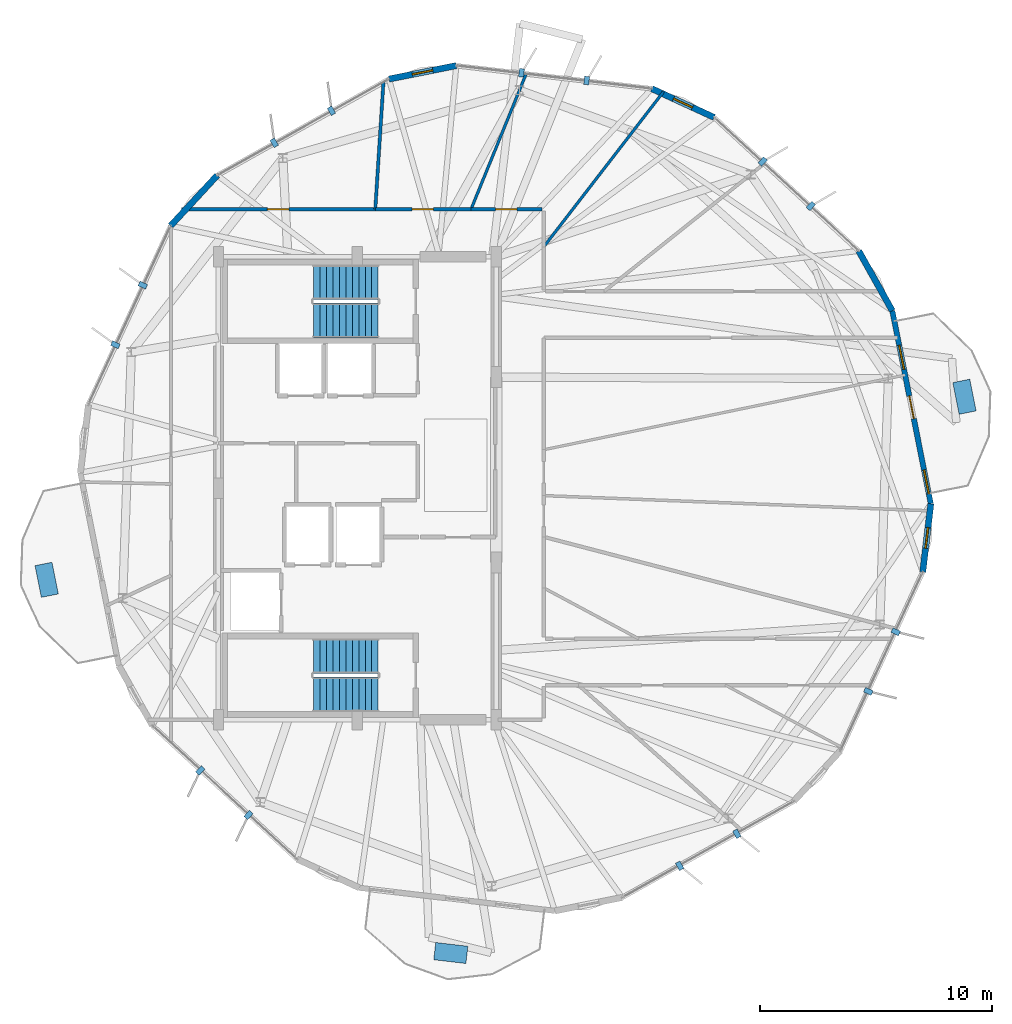
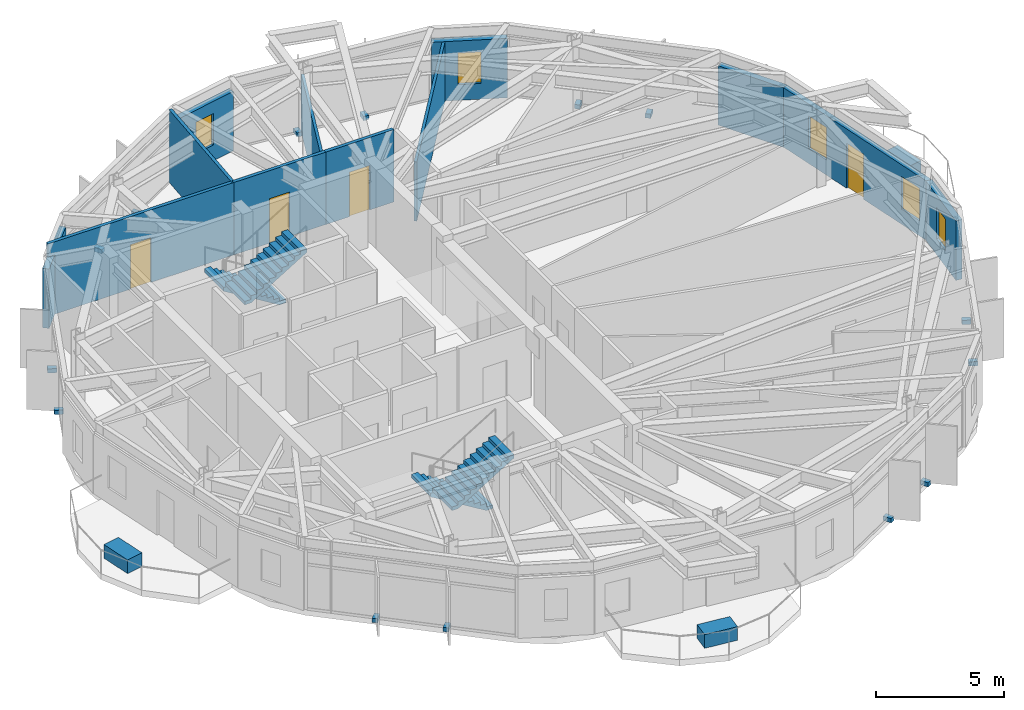
# One storey, part 22 of 25: 17 discrete accessories, 12 walls, 5 windows, 4 doors, 4 stair flights, 9 openings, 2 elements without a shape of their own.
"""IFC4 building model written with IfcOpenShell, lengths in metres."""

from ifc_helpers import new_model, si_unit, direction, frame, frame_2d, origin, origin_2d, place, context, subcontext, project, spatial, polyline, rectangle, outline, extrude, material, layer, layer_set, type_object, element, fill, aggregate, save


model = new_model("IFC4")

# Units and contexts
model_context = context("Model", 3, precision=1e-05, world=origin(), true_north=direction((0.0, 1.0)))
body_context = subcontext(model_context, "Body", "Model", "MODEL_VIEW")
ifc_project = project(units=[si_unit("LENGTHUNIT", "METRE"), si_unit("AREAUNIT", "SQUARE_METRE"), si_unit("VOLUMEUNIT", "CUBIC_METRE"), si_unit("PLANEANGLEUNIT", "RADIAN"), si_unit("MASSUNIT", "GRAM", prefix="KILO")], contexts=[model_context])

# Site, building, storey
site_placement = place(None, origin())
site = spatial("IfcSite", under=ifc_project, at=site_placement, CompositionType="ELEMENT")
building_placement = place(site_placement, origin())
building = spatial("IfcBuilding", under=site, at=building_placement, Name="Soratama Intermodal Tower", CompositionType="ELEMENT")
storey_placement = place(building_placement, frame((0.0, 0.0, 272.5)))
storey = spatial("IfcBuildingStorey", under=building, at=storey_placement, Name="L69", CompositionType="ELEMENT", Elevation=272.5)

# Wall, openings, door, windows
ifc_material_1 = material(Name="Concrete f'c 42 MPa", Category="concrete")
ifc_layer_1 = layer(ifc_material_1, 0.22998046875)
ifc_layer_set_1 = layer_set([ifc_layer_1], Name="Concrete f'c 42 MPa")
wall_type_1 = type_object("IfcWallType", Name="EW-BAL-230", PredefinedType="SOLIDWALL", material=ifc_layer_set_1)
wall_1_placement = place(storey_placement, frame((63.36572265625, 24.32958984375, 0.0), z_axis=(0.0, 0.0, 1.0), x_axis=(-0.195602411619, 0.980683280457, 0.0)))
wall_1 = element("IfcWall", 1, at=wall_1_placement, inside=storey, type_object=wall_type_1, Name="L69 Terrace Wall F09", PredefinedType="SOLIDWALL", context=body_context, shape_type="SweptSolid", body=[
    extrude(rectangle(XDim=8.5, YDim=0.22998046875, at=frame_2d((4.25, 0.0))), origin(), (0.0, 0.0, 1.0), 2.8291015625),
])
opening_1_placement = place(wall_1_placement, frame((3.75, 0.0, 0.0)))
opening_1 = element("IfcOpeningElement", 2, at=opening_1_placement, cuts=wall_1, Name="Opening ED-2", PredefinedType="OPENING", context=body_context, shape_type="SweptSolid", body=[
    extrude(rectangle(XDim=1.0, YDim=2.14990234375, at=frame_2d((0.5, 1.074951171875))), frame((0.0, 0.125, 0.0), z_axis=(0.0, -1.0, 0.0), x_axis=(1.0, 0.0, 0.0)), (0.0, 0.0, 1.0), 0.25),
])
opening_2_placement = place(wall_1_placement, frame((0.43994140625, 0.0, 0.719970703125)))
opening_2 = element("IfcOpeningElement", 3, at=opening_2_placement, cuts=wall_1, Name="Opening WN-5", PredefinedType="OPENING", context=body_context, shape_type="SweptSolid", body=[
    extrude(rectangle(XDim=1.050048828125, YDim=1.550048828125, at=frame_2d((0.52490234375, 0.77490234375))), frame((0.0, 0.125, 0.0), z_axis=(0.0, -1.0, 0.0), x_axis=(1.0, 0.0, 0.0)), (0.0, 0.0, 1.0), 0.25),
])
opening_3_placement = place(wall_1_placement, frame((5.929931640625, 0.0, 0.719970703125)))
opening_3 = element("IfcOpeningElement", 4, at=opening_3_placement, cuts=wall_1, Name="Opening WN-5", PredefinedType="OPENING", context=body_context, shape_type="SweptSolid", body=[
    extrude(rectangle(XDim=1.050048828125, YDim=1.550048828125, at=frame_2d((0.52490234375, 0.77490234375))), frame((0.0, 0.125, 0.0), z_axis=(0.0, -1.0, 0.0), x_axis=(1.0, 0.0, 0.0)), (0.0, 0.0, 1.0), 0.25),
])
ifc_material_2 = material(Name="Double-glazed aluminium door", Category="aluminium")
door_type_1 = type_object("IfcDoorType", Name="DR-BAL-1000", OperationType="NOTDEFINED", PredefinedType="DOOR", material=ifc_material_2)
door_1_placement = place(opening_1_placement, origin())
door_1 = element("IfcDoor", 5, at=door_1_placement, inside=storey, type_object=door_type_1, Name="L69 Balcony Door F09", OperationType="SINGLE_SWING_LEFT", OverallHeight=2.14990234375, OverallWidth=1.0, PredefinedType="DOOR", context=body_context, shape_type="SweptSolid", body=[
    extrude(rectangle(XDim=1.0, YDim=2.14990234375, at=frame_2d((0.5, 1.074951171875))), frame((0.0, 0.02490234375, 0.0), z_axis=(0.0, -1.0, 0.0), x_axis=(1.0, 0.0, 0.0)), (0.0, 0.0, 1.0), 0.050048828125),
])
fill(opening_1, door_1)
ifc_material_3 = material(Name="Double-glazed aluminium window", Category="aluminium")
window_type_1 = type_object("IfcWindowType", Name="WN-FAC-1050", PartitioningType="SINGLE_PANEL", PredefinedType="WINDOW", material=ifc_material_3)
window_1_placement = place(opening_2_placement, origin())
window_1 = element("IfcWindow", 6, at=window_1_placement, inside=storey, type_object=window_type_1, Name="L69 Window A F09", OverallHeight=1.550048828125, OverallWidth=1.050048828125, PartitioningType="SINGLE_PANEL", PredefinedType="WINDOW", context=body_context, shape_type="SweptSolid", body=[
    extrude(rectangle(XDim=1.050048828125, YDim=1.550048828125, at=frame_2d((0.52490234375, 0.77490234375))), frame((0.0, 0.030029296875, 0.0), z_axis=(0.0, -1.0, 0.0), x_axis=(1.0, 0.0, 0.0)), (0.0, 0.0, 1.0), 0.06005859375),
])
fill(opening_2, window_1)
window_2_placement = place(opening_3_placement, origin())
window_2 = element("IfcWindow", 7, at=window_2_placement, inside=storey, type_object=window_type_1, Name="L69 Window B F09", OverallHeight=1.550048828125, OverallWidth=1.050048828125, PartitioningType="SINGLE_PANEL", PredefinedType="WINDOW", context=body_context, shape_type="SweptSolid", body=[
    extrude(rectangle(XDim=1.050048828125, YDim=1.550048828125, at=frame_2d((0.52490234375, 0.77490234375))), frame((0.0, 0.030029296875, 0.0), z_axis=(0.0, -1.0, 0.0), x_axis=(1.0, 0.0, 0.0)), (0.0, 0.0, 1.0), 0.06005859375),
])
fill(opening_3, window_2)

# Wall, opening, window
ifc_material_4 = material(Name="Concrete f'c 42 MPa", Category="concrete")
ifc_layer_2 = layer(ifc_material_4, 0.27001953125)
ifc_layer_set_2 = layer_set([ifc_layer_2], Name="Concrete f'c 42 MPa")
wall_type_2 = type_object("IfcWallType", Name="EW-CRN-270", PredefinedType="SOLIDWALL", material=ifc_layer_set_2)
wall_2_placement = place(storey_placement, frame((42.87158203125, 43.25439453125, 0.0), z_axis=(0.0, 0.0, 1.0), x_axis=(-0.980678679059, -0.195625480037, 0.0)))
wall_2 = element("IfcWall", 8, at=wall_2_placement, inside=storey, type_object=wall_type_2, Name="L69 Corner Closure Wall 01", PredefinedType="SOLIDWALL", context=body_context, shape_type="SweptSolid", body=[
    extrude(rectangle(XDim=2.966552734375, YDim=0.27001953125, at=frame_2d((1.4833984375, 0.0))), origin(), (0.0, 0.0, 1.0), 2.8291015625),
])
opening_4_placement = place(wall_2_placement, frame((1.033203125, 0.0, 0.75)))
opening_4 = element("IfcOpeningElement", 9, at=opening_4_placement, cuts=wall_2, Name="Opening WN-6", PredefinedType="OPENING", context=body_context, shape_type="SweptSolid", body=[
    extrude(rectangle(XDim=0.89990234375, YDim=1.5, at=frame_2d((0.449951171875, 0.75))), frame((0.0, 0.14501953125, 0.0), z_axis=(0.0, -1.0, 0.0), x_axis=(1.0, 0.0, 0.0)), (0.0, 0.0, 1.0), 0.2900390625),
])
ifc_material_5 = material(Name="Double-glazed aluminium window", Category="aluminium")
window_type_2 = type_object("IfcWindowType", Name="WN-FAC-900", PartitioningType="SINGLE_PANEL", PredefinedType="WINDOW", material=ifc_material_5)
window_3_placement = place(opening_4_placement, origin())
window_3 = element("IfcWindow", 10, at=window_3_placement, inside=storey, type_object=window_type_2, Name="L69 Corner Window 01", OverallHeight=1.5, OverallWidth=0.89990234375, PartitioningType="SINGLE_PANEL", PredefinedType="WINDOW", context=body_context, shape_type="SweptSolid", body=[
    extrude(rectangle(XDim=0.89990234375, YDim=1.5, at=frame_2d((0.449951171875, 0.75))), frame((0.0, 0.030029296875, 0.0), z_axis=(0.0, -1.0, 0.0), x_axis=(1.0, 0.0, 0.0)), (0.0, 0.0, 1.0), 0.06005859375),
])
fill(opening_4, window_3)

# Wall
wall_3_placement = place(storey_placement, frame((32.54833984375, 38.51708984375, 0.0), z_axis=(0.0, 0.0, 1.0), x_axis=(-0.678358713044, -0.734730873475, 0.0)))
element("IfcWall", 11, at=wall_3_placement, inside=storey, type_object=wall_type_2, Name="L69 Corner Closure Wall 02", PredefinedType="SOLIDWALL", context=body_context, shape_type="SweptSolid", body=[
    extrude(rectangle(XDim=2.966552734375, YDim=0.27001953125, at=frame_2d((1.4833984375, 0.0))), origin(), (0.0, 0.0, 1.0), 2.8291015625),
])

# Wall, opening, window
wall_4_placement = place(storey_placement, frame((63.0185546875, 21.38330078125, 0.0), z_axis=(0.0, 0.0, 1.0), x_axis=(0.11702268659, 0.993129241752, 0.0)))
wall_4 = element("IfcWall", 12, at=wall_4_placement, inside=storey, type_object=wall_type_2, Name="L69 Corner Closure Wall 08", PredefinedType="SOLIDWALL", context=body_context, shape_type="SweptSolid", body=[
    extrude(rectangle(XDim=2.966552734375, YDim=0.27001953125, at=frame_2d((1.4833984375, 0.0))), origin(), (0.0, 0.0, 1.0), 2.8291015625),
])
opening_5_placement = place(wall_4_placement, frame((1.033203125, 0.0, 0.75)))
opening_5 = element("IfcOpeningElement", 13, at=opening_5_placement, cuts=wall_4, Name="Opening WN-6", PredefinedType="OPENING", context=body_context, shape_type="SweptSolid", body=[
    extrude(rectangle(XDim=0.89990234375, YDim=1.5, at=frame_2d((0.449951171875, 0.75))), frame((0.0, 0.14501953125, 0.0), z_axis=(0.0, -1.0, 0.0), x_axis=(1.0, 0.0, 0.0)), (0.0, 0.0, 1.0), 0.2900390625),
])
window_4_placement = place(opening_5_placement, origin())
window_4 = element("IfcWindow", 14, at=window_4_placement, inside=storey, type_object=window_type_2, Name="L69 Corner Window 08", OverallHeight=1.5, OverallWidth=0.89990234375, PartitioningType="SINGLE_PANEL", PredefinedType="WINDOW", context=body_context, shape_type="SweptSolid", body=[
    extrude(rectangle(XDim=0.89990234375, YDim=1.5, at=frame_2d((0.449951171875, 0.75))), frame((0.0, 0.030029296875, 0.0), z_axis=(0.0, -1.0, 0.0), x_axis=(1.0, 0.0, 0.0)), (0.0, 0.0, 1.0), 0.06005859375),
])
fill(opening_5, window_4)

# Wall
wall_5_placement = place(storey_placement, frame((61.703125, 32.665283203125, 0.0), z_axis=(0.0, 0.0, 1.0), x_axis=(-0.489112025422, 0.872220973485, 0.0)))
element("IfcWall", 15, at=wall_5_placement, inside=storey, type_object=wall_type_2, Name="L69 Corner Closure Wall 09", PredefinedType="SOLIDWALL", context=body_context, shape_type="SweptSolid", body=[
    extrude(rectangle(XDim=2.966552734375, YDim=0.27001953125, at=frame_2d((1.4833984375, 0.0))), origin(), (0.0, 0.0, 1.0), 2.8291015625),
])

# Wall, opening, window
wall_6_placement = place(storey_placement, frame((54.0078125, 41.01904296875, 0.0), z_axis=(0.0, 0.0, 1.0), x_axis=(-0.908349179755, 0.418212586657, 0.0)))
wall_6 = element("IfcWall", 16, at=wall_6_placement, inside=storey, type_object=wall_type_2, Name="L69 Corner Closure Wall 10", PredefinedType="SOLIDWALL", context=body_context, shape_type="SweptSolid", body=[
    extrude(rectangle(XDim=2.966796875, YDim=0.27001953125, at=frame_2d((1.4833984375, 0.0))), origin(), (0.0, 0.0, 1.0), 2.8291015625),
])
opening_6_placement = place(wall_6_placement, frame((1.033203125, 0.0, 0.75)))
opening_6 = element("IfcOpeningElement", 17, at=opening_6_placement, cuts=wall_6, Name="Opening WN-6", PredefinedType="OPENING", context=body_context, shape_type="SweptSolid", body=[
    extrude(rectangle(XDim=0.89990234375, YDim=1.5, at=frame_2d((0.449951171875, 0.75))), frame((0.0, 0.14501953125, 0.0), z_axis=(0.0, -1.0, 0.0), x_axis=(1.0, 0.0, 0.0)), (0.0, 0.0, 1.0), 0.2900390625),
])
window_5_placement = place(opening_6_placement, origin())
window_5 = element("IfcWindow", 18, at=window_5_placement, inside=storey, type_object=window_type_2, Name="L69 Corner Window 10", OverallHeight=1.5, OverallWidth=0.89990234375, PartitioningType="SINGLE_PANEL", PredefinedType="WINDOW", context=body_context, shape_type="SweptSolid", body=[
    extrude(rectangle(XDim=0.89990234375, YDim=1.5, at=frame_2d((0.449951171875, 0.75))), frame((0.0, 0.030029296875, 0.0), z_axis=(0.0, -1.0, 0.0), x_axis=(1.0, 0.0, 0.0)), (0.0, 0.0, 1.0), 0.06005859375),
])
fill(opening_6, window_5)

# Wall, opening, door
ifc_material_6 = material(Name="Fire-rated gypsum stud partition", Category="concrete")
ifc_layer_3 = layer(ifc_material_6, 0.14990234375)
ifc_layer_set_3 = layer_set([ifc_layer_3], Name="Fire-rated gypsum stud partition")
wall_type_3 = type_object("IfcWallType", Name="IW-PART-R150", PredefinedType="PARTITIONING", material=ifc_layer_set_3)
wall_7_placement = place(storey_placement, frame((31.010986328125, 37.050048828125, 0.0), z_axis=(0.0, 0.0, 1.0), x_axis=(1.0, 0.0, 0.0)))
wall_7 = element("IfcWall", 19, at=wall_7_placement, inside=storey, type_object=wall_type_3, Name="L69 Partition W-L69-TP011", PredefinedType="PARTITIONING", context=body_context, shape_type="SweptSolid", body=[
    extrude(rectangle(XDim=8.362060546875, YDim=0.14990234375, at=frame_2d((4.18115234375, 0.0))), origin(), (0.0, 0.0, 1.0), 3.449951171875),
])
opening_7_placement = place(wall_7_placement, frame((3.7060546875, 0.0, 0.0)))
opening_7 = element("IfcOpeningElement", 20, at=opening_7_placement, cuts=wall_7, Name="Opening ID-6", PredefinedType="OPENING", context=body_context, shape_type="SweptSolid", body=[
    extrude(rectangle(XDim=0.919921875, YDim=2.1201171875, at=frame_2d((0.4599609375, 1.06005859375))), frame((0.0, 0.0849609375, 0.0), z_axis=(0.0, -1.0, 0.0), x_axis=(1.0, 0.0, 0.0)), (0.0, 0.0, 1.0), 0.169921875),
])
ifc_material_7 = material(Name="Solid hardwood acoustic door", Category="wood")
door_type_2 = type_object("IfcDoorType", Name="DR-ROOM-920", OperationType="NOTDEFINED", PredefinedType="DOOR", material=ifc_material_7)
door_2_placement = place(opening_7_placement, origin())
door_2 = element("IfcDoor", 21, at=door_2_placement, inside=storey, type_object=door_type_2, Name="L69 Door D-L69-TP005", OperationType="SINGLE_SWING_RIGHT", OverallHeight=2.1201171875, OverallWidth=0.919921875, PredefinedType="DOOR", context=body_context, shape_type="SweptSolid", body=[
    extrude(rectangle(XDim=0.919921875, YDim=2.1201171875, at=frame_2d((0.4599609375, 1.06005859375))), frame((0.0, 0.02490234375, 0.0), z_axis=(0.0, -1.0, 0.0), x_axis=(1.0, 0.0, 0.0)), (0.0, 0.0, 1.0), 0.050048828125),
])
fill(opening_7, door_2)

wall_8_placement = place(storey_placement, frame((39.373046875, 37.050048828125, 0.0), z_axis=(0.0, 0.0, 1.0), x_axis=(1.0, 0.0, 0.0)))
wall_8 = element("IfcWall", 22, at=wall_8_placement, inside=storey, type_object=wall_type_3, Name="L69 Partition W-L69-TP022", PredefinedType="PARTITIONING", context=body_context, shape_type="SweptSolid", body=[
    extrude(rectangle(XDim=4.135009765625, YDim=0.14990234375, at=frame_2d((2.0673828125, 0.0))), origin(), (0.0, 0.0, 1.0), 3.449951171875),
])
opening_8_placement = place(wall_8_placement, frame((1.593017578125, 0.0, 0.0)))
opening_8 = element("IfcOpeningElement", 23, at=opening_8_placement, cuts=wall_8, Name="Opening ID-6", PredefinedType="OPENING", context=body_context, shape_type="SweptSolid", body=[
    extrude(rectangle(XDim=0.919921875, YDim=2.1201171875, at=frame_2d((0.4599609375, 1.06005859375))), frame((0.0, 0.0849609375, 0.0), z_axis=(0.0, -1.0, 0.0), x_axis=(1.0, 0.0, 0.0)), (0.0, 0.0, 1.0), 0.169921875),
])
door_3_placement = place(opening_8_placement, origin())
door_3 = element("IfcDoor", 24, at=door_3_placement, inside=storey, type_object=door_type_2, Name="L69 Door D-L69-TP011", OperationType="SINGLE_SWING_RIGHT", OverallHeight=2.1201171875, OverallWidth=0.919921875, PredefinedType="DOOR", context=body_context, shape_type="SweptSolid", body=[
    extrude(rectangle(XDim=0.919921875, YDim=2.1201171875, at=frame_2d((0.4599609375, 1.06005859375))), frame((0.0, 0.02490234375, 0.0), z_axis=(0.0, -1.0, 0.0), x_axis=(1.0, 0.0, 0.0)), (0.0, 0.0, 1.0), 0.050048828125),
])
fill(opening_8, door_3)

wall_9_placement = place(storey_placement, frame((43.508056640625, 37.050048828125, 0.0), z_axis=(0.0, 0.0, 1.0), x_axis=(1.0, 0.0, 0.0)))
wall_9 = element("IfcWall", 25, at=wall_9_placement, inside=storey, type_object=wall_type_3, Name="L69 Partition W-L69-TP028", PredefinedType="PARTITIONING", context=body_context, shape_type="SweptSolid", body=[
    extrude(rectangle(XDim=3.072021484375, YDim=0.14990234375, at=frame_2d((1.5361328125, 0.0))), origin(), (0.0, 0.0, 1.0), 3.449951171875),
])
opening_9_placement = place(wall_9_placement, frame((1.06103515625, 0.0, 0.0)))
opening_9 = element("IfcOpeningElement", 26, at=opening_9_placement, cuts=wall_9, Name="Opening ID-6", PredefinedType="OPENING", context=body_context, shape_type="SweptSolid", body=[
    extrude(rectangle(XDim=0.919921875, YDim=2.1201171875, at=frame_2d((0.4599609375, 1.06005859375))), frame((0.0, 0.0849609375, 0.0), z_axis=(0.0, -1.0, 0.0), x_axis=(1.0, 0.0, 0.0)), (0.0, 0.0, 1.0), 0.169921875),
])
door_4_placement = place(opening_9_placement, origin())
door_4 = element("IfcDoor", 27, at=door_4_placement, inside=storey, type_object=door_type_2, Name="L69 Door D-L69-TP016", OperationType="SINGLE_SWING_LEFT", OverallHeight=2.1201171875, OverallWidth=0.919921875, PredefinedType="DOOR", context=body_context, shape_type="SweptSolid", body=[
    extrude(rectangle(XDim=0.919921875, YDim=2.1201171875, at=frame_2d((0.4599609375, 1.06005859375))), frame((0.0, 0.02490234375, 0.0), z_axis=(0.0, -1.0, 0.0), x_axis=(1.0, 0.0, 0.0)), (0.0, 0.0, 1.0), 0.050048828125),
])
fill(opening_9, door_4)

# Walls
ifc_material_8 = material(Name="Fire-rated gypsum stud partition", Category="concrete")
ifc_layer_4 = layer(ifc_material_8, 0.1201171875)
ifc_layer_set_4 = layer_set([ifc_layer_4], Name="Fire-rated gypsum stud partition")
wall_type_4 = type_object("IfcWallType", Name="IW-PART-S120", PredefinedType="PARTITIONING", material=ifc_layer_set_4)
wall_10_placement = place(storey_placement, frame((46.64990234375, 35.428955078125, 0.0), z_axis=(0.0, 0.0, 1.0), x_axis=(0.611044555743, 0.791596204448, 0.0)))
element("IfcWall", 28, at=wall_10_placement, inside=storey, type_object=wall_type_4, Name="L69 Partition W-L69-TP010", PredefinedType="PARTITIONING", context=body_context, shape_type="SweptSolid", body=[
    extrude(rectangle(XDim=8.451171875, YDim=0.1201171875, at=frame_2d((4.2255859375, 0.0))), origin(), (0.0, 0.0, 1.0), 2.827880859375),
])
wall_11_placement = place(storey_placement, frame((43.508056640625, 37.050048828125, 0.0), z_axis=(0.0, 0.0, 1.0), x_axis=(0.377023013802, 0.926203890654, 0.0)))
element("IfcWall", 29, at=wall_11_placement, inside=storey, type_object=wall_type_4, Name="L69 Partition W-L69-TP015", PredefinedType="PARTITIONING", context=body_context, shape_type="SweptSolid", body=[
    extrude(rectangle(XDim=6.31494140625, YDim=0.1201171875, at=frame_2d((3.157470703125, 0.0))), origin(), (0.0, 0.0, 1.0), 2.7451171875),
])
ifc_material_9 = material(Name="Fire-rated gypsum stud partition", Category="concrete")
ifc_layer_5 = layer(ifc_material_9, 0.139892578125)
ifc_layer_set_5 = layer_set([ifc_layer_5], Name="Fire-rated gypsum stud partition")
wall_type_5 = type_object("IfcWallType", Name="IW-PART-S140", PredefinedType="PARTITIONING", material=ifc_layer_set_5)
wall_12_placement = place(storey_placement, frame((39.373046875, 37.050048828125, 0.0), z_axis=(0.0, 0.0, 1.0), x_axis=(0.064148555726, 0.997940360341, 0.0)))
element("IfcWall", 30, at=wall_12_placement, inside=storey, type_object=wall_type_5, Name="L69 Partition W-L69-TP018", PredefinedType="PARTITIONING", context=body_context, shape_type="SweptSolid", body=[
    extrude(rectangle(XDim=5.503173828125, YDim=0.139892578125, at=frame_2d((2.75146484375, 0.0))), origin(), (0.0, 0.0, 1.0), 3.449951171875),
])

# Stair, stair flights
ifc_material_10 = material(Name="Concrete f'c 42 MPa", Category="concrete")
stair_type = type_object("IfcStairType", Name="ST-CORE-DOGLEG", PredefinedType="HALF_TURN_STAIR", material=ifc_material_10)
stair_1_placement = place(storey_placement, origin())
stair_1 = element("IfcStair", 31, at=stair_1_placement, inside=storey, type_object=stair_type, Name="L69 ST-1", PredefinedType="HALF_TURN_STAIR")
ifc_material_11 = material(Name="Precast concrete f'c 40 MPa", Category="concrete")
ifc_layer_6 = layer(ifc_material_11, 0.199951171875)
ifc_layer_set_6 = layer_set([ifc_layer_6], Name="Precast concrete f'c 40 MPa")
stair_flight_type = type_object("IfcStairFlightType", Name="SF-FLIGHT-RC", PredefinedType="STRAIGHT", material=ifc_layer_set_6)
stair_flight_1_placement = place(storey_placement, frame((39.5, 17.75, 0.0), z_axis=(0.0, 0.0, 1.0), x_axis=(-1.0, 0.0, 0.0)))
stair_flight_1 = element("IfcStairFlight", 32, at=stair_flight_1_placement, type_object=stair_flight_type, Name="ST-1 flight 1", NumberOfRisers=11, NumberOfTreads=10, PredefinedType="STRAIGHT", RiserHeight=0.170454545, TreadLength=0.28, context=body_context, shape_type="SweptSolid", body=[
    extrude(outline(polyline([(0.0, 0.0), (0.0, 0.17041015625), (0.280029296875, 0.17041015625), (0.280029296875, 0.3408203125), (0.56005859375, 0.3408203125), (0.56005859375, 0.511474609375), (0.840087890625, 0.511474609375), (0.840087890625, 0.681884765625), (1.1201171875, 0.681884765625), (1.1201171875, 0.852294921875), (1.39990234375, 0.852294921875), (1.39990234375, 1.022705078125), (1.679931640625, 1.022705078125), (1.679931640625, 1.193115234375), (1.9599609375, 1.193115234375), (1.9599609375, 1.363525390625), (2.239990234375, 1.363525390625), (2.239990234375, 1.5341796875), (2.52001953125, 1.5341796875), (2.52001953125, 1.70458984375), (2.800048828125, 1.70458984375), (2.800048828125, 1.875), (2.800048828125, 1.529052734375), (0.288330078125, 0.0), (0.0, 0.0)])), frame((0.0, 0.75, 0.0), z_axis=(0.0, -1.0, 0.0), x_axis=(1.0, 0.0, 0.0)), (0.0, 0.0, 1.0), 1.5),
])
stair_flight_2_placement = place(storey_placement, frame((36.699951171875, 16.10009765625, 1.875), z_axis=(0.0, 0.0, 1.0), x_axis=(1.0, 0.0, 0.0)))
stair_flight_2 = element("IfcStairFlight", 33, at=stair_flight_2_placement, type_object=stair_flight_type, Name="ST-1 flight 2", NumberOfRisers=11, NumberOfTreads=10, PredefinedType="STRAIGHT", RiserHeight=0.170454545, TreadLength=0.28, context=body_context, shape_type="SweptSolid", body=[
    extrude(outline(polyline([(0.0, 0.0), (0.0, 0.17041015625), (0.280029296875, 0.17041015625), (0.280029296875, 0.3408203125), (0.56005859375, 0.3408203125), (0.56005859375, 0.511474609375), (0.840087890625, 0.511474609375), (0.840087890625, 0.681884765625), (1.1201171875, 0.681884765625), (1.1201171875, 0.852294921875), (1.39990234375, 0.852294921875), (1.39990234375, 1.022705078125), (1.679931640625, 1.022705078125), (1.679931640625, 1.193115234375), (1.9599609375, 1.193115234375), (1.9599609375, 1.363525390625), (2.239990234375, 1.363525390625), (2.239990234375, 1.5341796875), (2.52001953125, 1.5341796875), (2.52001953125, 1.70458984375), (2.800048828125, 1.70458984375), (2.800048828125, 1.875), (2.800048828125, 1.529052734375), (0.288330078125, 0.0), (0.0, 0.0)])), frame((0.0, 0.75, 0.0), z_axis=(0.0, -1.0, 0.0), x_axis=(1.0, 0.0, 0.0)), (0.0, 0.0, 1.0), 1.5),
])
aggregate(stair_1, [stair_flight_1, stair_flight_2])

stair_2_placement = place(storey_placement, origin())
stair_2 = element("IfcStair", 34, at=stair_2_placement, inside=storey, type_object=stair_type, Name="L69 ST-2", PredefinedType="HALF_TURN_STAIR")
stair_flight_3_placement = place(storey_placement, frame((39.5, 33.89990234375, 0.0), z_axis=(0.0, 0.0, 1.0), x_axis=(-1.0, 0.0, 0.0)))
stair_flight_3 = element("IfcStairFlight", 35, at=stair_flight_3_placement, type_object=stair_flight_type, Name="ST-2 flight 1", NumberOfRisers=11, NumberOfTreads=10, PredefinedType="STRAIGHT", RiserHeight=0.170454545, TreadLength=0.28, context=body_context, shape_type="SweptSolid", body=[
    extrude(outline(polyline([(0.0, 0.0), (0.0, 0.17041015625), (0.280029296875, 0.17041015625), (0.280029296875, 0.3408203125), (0.56005859375, 0.3408203125), (0.56005859375, 0.511474609375), (0.840087890625, 0.511474609375), (0.840087890625, 0.681884765625), (1.1201171875, 0.681884765625), (1.1201171875, 0.852294921875), (1.39990234375, 0.852294921875), (1.39990234375, 1.022705078125), (1.679931640625, 1.022705078125), (1.679931640625, 1.193115234375), (1.9599609375, 1.193115234375), (1.9599609375, 1.363525390625), (2.239990234375, 1.363525390625), (2.239990234375, 1.5341796875), (2.52001953125, 1.5341796875), (2.52001953125, 1.70458984375), (2.800048828125, 1.70458984375), (2.800048828125, 1.875), (2.800048828125, 1.529052734375), (0.288330078125, 0.0), (0.0, 0.0)])), frame((0.0, 0.75, 0.0), z_axis=(0.0, -1.0, 0.0), x_axis=(1.0, 0.0, 0.0)), (0.0, 0.0, 1.0), 1.5),
])
stair_flight_4_placement = place(storey_placement, frame((36.699951171875, 32.25, 1.875), z_axis=(0.0, 0.0, 1.0), x_axis=(1.0, 0.0, 0.0)))
stair_flight_4 = element("IfcStairFlight", 36, at=stair_flight_4_placement, type_object=stair_flight_type, Name="ST-2 flight 2", NumberOfRisers=11, NumberOfTreads=10, PredefinedType="STRAIGHT", RiserHeight=0.170454545, TreadLength=0.28, context=body_context, shape_type="SweptSolid", body=[
    extrude(outline(polyline([(0.0, 0.0), (0.0, 0.17041015625), (0.280029296875, 0.17041015625), (0.280029296875, 0.3408203125), (0.56005859375, 0.3408203125), (0.56005859375, 0.511474609375), (0.840087890625, 0.511474609375), (0.840087890625, 0.681884765625), (1.1201171875, 0.681884765625), (1.1201171875, 0.852294921875), (1.39990234375, 0.852294921875), (1.39990234375, 1.022705078125), (1.679931640625, 1.022705078125), (1.679931640625, 1.193115234375), (1.9599609375, 1.193115234375), (1.9599609375, 1.363525390625), (2.239990234375, 1.363525390625), (2.239990234375, 1.5341796875), (2.52001953125, 1.5341796875), (2.52001953125, 1.70458984375), (2.800048828125, 1.70458984375), (2.800048828125, 1.875), (2.800048828125, 1.529052734375), (0.288330078125, 0.0), (0.0, 0.0)])), frame((0.0, 0.75, 0.0), z_axis=(0.0, -1.0, 0.0), x_axis=(1.0, 0.0, 0.0)), (0.0, 0.0, 1.0), 1.5),
])
aggregate(stair_2, [stair_flight_3, stair_flight_4])

# Discrete accessories
ifc_material_12 = material(Name="Structural steel ASTM A992 Grade 50", Category="steel")
discrete_accessory_type_1 = type_object("IfcDiscreteAccessoryType", Name="AC-FIN-BRACKET", PredefinedType="BRACKET", material=ifc_material_12)
for number, where, z_axis, x_axis, name in (
    (37, (48.50146484375, 42.611083984375, -0.080078125), (0.0, 0.0, 1.0), (0.117017411942, 0.993129863262, 0.0), "L69 Fin Bracket F01-1"),
    (38, (45.687744140625, 42.942626953125, -0.080078125), (0.0, 0.0, 1.0), (0.117017411942, 0.993129863262, 0.0), "L69 Fin Bracket F01-2"),
    (39, (37.481201171875, 41.305908203125, -0.080078125), (0.0, 0.0, 1.0), (-0.489078012338, 0.872240046001, 0.0), "L69 Fin Bracket F02-1"),
    (40, (35.010009765625, 39.920166015625, -0.080078125), (0.0, 0.0, 1.0), (-0.489078012338, 0.872240046001, 0.0), "L69 Fin Bracket F02-2"),
    (41, (29.3330078125, 33.772216796875, -0.080078125), (0.0, 0.0, 1.0), (-0.908362259055, 0.418184177516, 0.0), "L69 Fin Bracket F03-1"),
    (42, (28.148193359375, 31.198486328125, -0.080078125), (0.0, 0.0, 1.0), (-0.908362259055, 0.418184177516, 0.0), "L69 Fin Bracket F03-2"),
    (43, (31.815673828125, 12.810546875, -0.080078125), (0.0, 0.0, 1.0), (-0.678416162135, -0.734677827999, 0.0), "L69 Fin Bracket F05-1"),
    (44, (33.897216796875, 10.88818359375, -0.080078125), (0.0, 0.0, 1.0), (-0.678416162135, -0.734677827999, 0.0), "L69 Fin Bracket F05-2"),
    (45, (52.518798828125, 8.694091796875, -0.080078125), (0.0, 0.0, 1.0), (0.489078012338, -0.872240046001, 0.0), "L69 Fin Bracket F07-1"),
    (46, (54.989990234375, 10.079833984375, -0.080078125), (0.0, 0.0, 1.0), (0.489078012338, -0.872240046001, 0.0), "L69 Fin Bracket F07-2"),
    (47, (60.6669921875, 16.227783203125, -0.080078125), (0.0, 0.0, 1.0), (0.908362259055, -0.418184177516, 0.0), "L69 Fin Bracket F08-1"),
    (48, (61.851806640625, 18.801513671875, -0.080078125), (0.0, 0.0, 1.0), (0.908362259055, -0.418184177516, 0.0), "L69 Fin Bracket F08-2"),
    (49, (58.184326171875, 37.189453125, -0.080078125), (0.0, 0.0, 1.0), (0.678416162135, 0.734677827999, 0.0), "L69 Fin Bracket F10-1"),
    (50, (56.102783203125, 39.11181640625, -0.080078125), (0.0, 0.0, 1.0), (0.678416162135, 0.734677827999, 0.0), "L69 Fin Bracket F10-2"),
):
    element("IfcDiscreteAccessory", number, at=place(storey_placement, frame(where, z_axis=z_axis, x_axis=x_axis)), inside=storey, type_object=discrete_accessory_type_1, Name=name, PredefinedType="BRACKET", context=body_context, shape_type="SweptSolid", body=[
        extrude(rectangle(XDim=0.360107421875, YDim=0.219970703125, at=origin_2d()), origin(), (0.0, 0.0, 1.0), 0.199951171875),
    ])
ifc_material_13 = material(Name="Precast concrete f'c 40 MPa", Category="concrete")
discrete_accessory_type_2 = type_object("IfcDiscreteAccessoryType", Name="AC-PLANTER-TREE", PredefinedType="USERDEFINED", material=ifc_material_13)
for number, where, z_axis, x_axis, name in (
    (51, (64.819580078125, 28.953125, 0.0), (0.0, 0.0, 1.0), (0.98068299691, 0.195603833222, 0.0), "L69 Tree Planter 1"),
    (52, (25.180419921875, 21.046875, 0.0), (0.0, 0.0, 1.0), (-0.98068299691, -0.195603833222, 0.0), "L69 Tree Planter 2"),
    (53, (42.635009765625, 4.928955078125, 0.0), (0.0, 0.0, 1.0), (-0.117017411942, -0.993129863262, 0.0), "L69 Tree Planter 3"),
):
    element("IfcDiscreteAccessory", number, at=place(storey_placement, frame(where, z_axis=z_axis, x_axis=x_axis)), inside=storey, type_object=discrete_accessory_type_2, Name=name, ObjectType="PLANTER", PredefinedType="USERDEFINED", context=body_context, shape_type="SweptSolid", body=[
        extrude(rectangle(XDim=0.75, YDim=1.39990234375, at=origin_2d()), origin(), (0.0, 0.0, 1.0), 0.64990234375),
    ])

save(model, "model.ifc")
